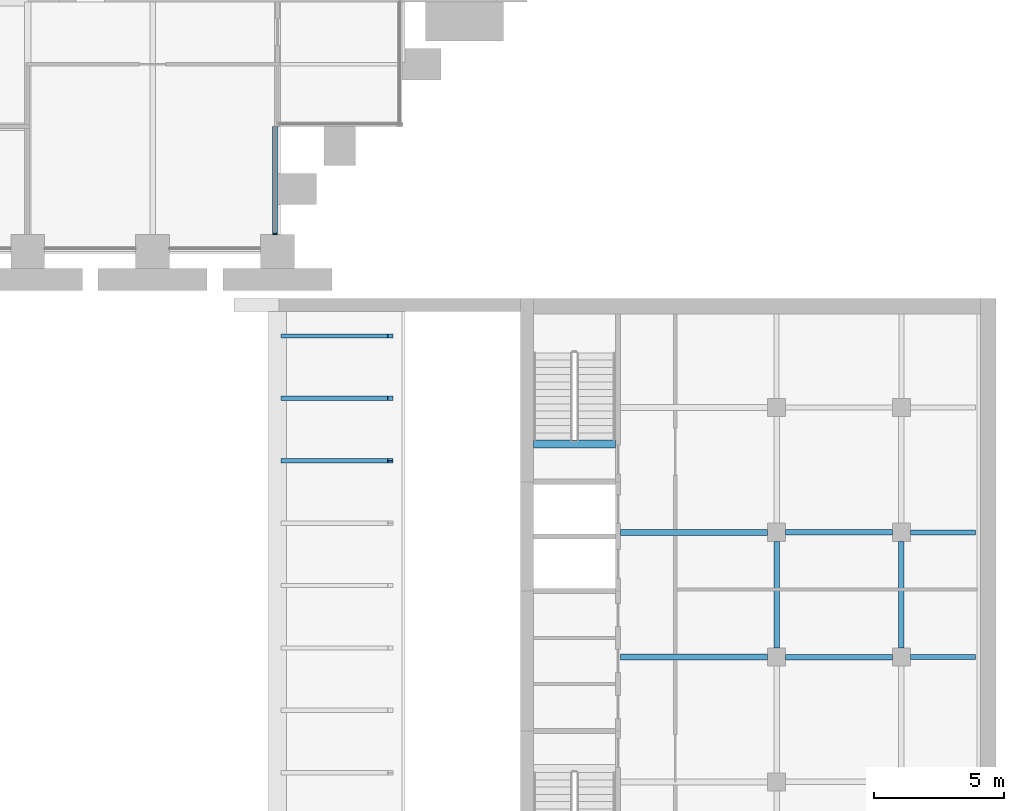
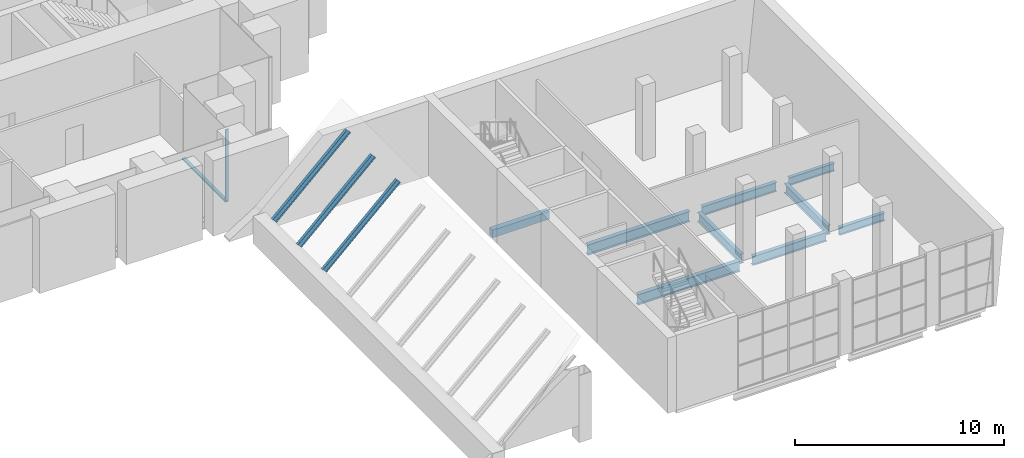
# One storey, part 12 of 30: 12 beams, 2 members, 1 element without a shape of its own.
"""IFC4 building model written with IfcOpenShell, lengths in metres."""

from ifc_helpers import new_model, si_unit, direction, frame, origin, origin_2d, place, context, subcontext, project, spatial, rectangle, i_section, extrude, material, material_profile, profile_set, type_object, element, aggregate, save


model = new_model("IFC4")

# Units and contexts
model_context = context("Model", 3, precision=1e-05, world=origin(), true_north=direction((0.0, 1.0)))
body_context = subcontext(model_context, "Body", "Model", "MODEL_VIEW")
ifc_project = project(units=[si_unit("LENGTHUNIT", "METRE"), si_unit("AREAUNIT", "SQUARE_METRE"), si_unit("VOLUMEUNIT", "CUBIC_METRE"), si_unit("PLANEANGLEUNIT", "RADIAN"), si_unit("MASSUNIT", "GRAM", prefix="KILO")], contexts=[model_context])

# Site, building, storey
site_placement = place(None, origin())
site = spatial("IfcSite", under=ifc_project, at=site_placement, CompositionType="ELEMENT")
building_placement = place(site_placement, origin())
building = spatial("IfcBuilding", under=site, at=building_placement, Name="Baori Bourse Tower", CompositionType="ELEMENT")
storey_placement = place(building_placement, frame((0.0, 0.0, 17.0)))
storey = spatial("IfcBuildingStorey", under=building, at=storey_placement, Name="L02", CompositionType="ELEMENT", Elevation=17.0)

# Curtain wall, members
ifc_material_1 = material(Name="Pale anodised aluminium", Category="aluminium")
curtain_wall_type = type_object("IfcCurtainWallType", Name="CW2 Curtain wall", PredefinedType="NOTDEFINED", material=ifc_material_1)
curtain_wall_placement = place(storey_placement, origin())
curtain_wall = element("IfcCurtainWall", 1, at=curtain_wall_placement, inside=storey, type_object=curtain_wall_type, Name="Curtain wall CW2 L02 12", PredefinedType="NOTDEFINED")
ifc_material_2 = material(Name="Pale anodised aluminium", Category="aluminium")
ifc_material_profile_1 = material_profile(ifc_material_2, rectangle(XDim=0.179931640625, YDim=0.054931640625, at=origin_2d()), Name="Mullion 55x180")
ifc_profile_set_1 = profile_set([ifc_material_profile_1], Name="Pale anodised aluminium")
member_type_1 = type_object("IfcMemberType", Name="CW2 Curtain wall mullion", PredefinedType="MULLION", material=ifc_profile_set_1)
member_1_placement = place(storey_placement, frame((47.909912109375, 0.677490234375, 0.070068359375), z_axis=(0.0, 0.0, 1.0), x_axis=(-1.0, 0.0, 0.0)))
member_1 = element("IfcMember", 2, at=member_1_placement, type_object=member_type_1, Name="Curtain wall CW2 mullion", PredefinedType="MULLION", context=body_context, shape_type="SweptSolid", body=[
    extrude(rectangle(XDim=0.179931640625, YDim=0.054931640625, at=origin_2d()), origin(), (0.0, 0.0, 1.0), 4.169921875),
])
ifc_material_3 = material(Name="Pale anodised aluminium", Category="aluminium")
ifc_material_profile_2 = material_profile(ifc_material_3, rectangle(XDim=0.179931640625, YDim=0.070068359375, at=origin_2d()), Name="Transom 70x180")
ifc_profile_set_2 = profile_set([ifc_material_profile_2], Name="Pale anodised aluminium")
member_type_2 = type_object("IfcMemberType", Name="CW2 Curtain wall transom", PredefinedType="USERDEFINED", material=ifc_profile_set_2)
member_2_placement = place(storey_placement, frame((47.909912109375, 0.64990234375, 0.034912109375), z_axis=(0.0, 1.0, 0.0), x_axis=(-1.0, 0.0, 0.0)))
member_2 = element("IfcMember", 3, at=member_2_placement, type_object=member_type_2, Name="Curtain wall CW2 sill rail", ObjectType="TRANSOM", PredefinedType="USERDEFINED", context=body_context, shape_type="SweptSolid", body=[
    extrude(rectangle(XDim=0.179931640625, YDim=0.070068359375, at=origin_2d()), origin(), (0.0, 0.0, 1.0), 4.150146484375),
])
aggregate(curtain_wall, [member_2, member_1])

# Beams
ifc_material_4 = material(Name="Concrete f'c 40 MPa", Category="concrete")
ifc_material_profile_3 = material_profile(ifc_material_4, rectangle(XDim=0.300048828125, YDim=0.449951171875, at=origin_2d()), Name="Stair trimmer beam 300x450")
ifc_profile_set_3 = profile_set([ifc_material_profile_3], Name="Concrete f'c 40 MPa")
beam_type_1 = type_object("IfcBeamType", Name="Stair trimmer beam 300x450", PredefinedType="BEAM", material=ifc_profile_set_3)
beam_placement = place(storey_placement, frame((61.0, -7.409912109375, -0.385009765625), z_axis=(-1.0, 0.0, 0.0), x_axis=(0.0, -1.0, 0.0)))
element("IfcBeam", 4, at=beam_placement, inside=storey, type_object=beam_type_1, Name="wing/L02/Etrimmer/001", PredefinedType="BEAM", context=body_context, shape_type="SweptSolid", body=[
    extrude(rectangle(XDim=0.300048828125, YDim=0.449951171875, at=origin_2d()), origin(), (0.0, 0.0, 1.0), 3.14990234375),
])
ifc_material_5 = material(Name="Steel A992 Gr 50", Category="steel")
ifc_material_profile_4 = material_profile(ifc_material_5, i_section(OverallWidth=0.164794921875, OverallDepth=0.309814453125, WebThickness=0.005859375, FlangeThickness=0.009765625, at=origin_2d()), Name="W12x26")
ifc_profile_set_4 = profile_set([ifc_material_profile_4], Name="Steel A992 Gr 50")
beam_type_2 = type_object("IfcBeamType", Name="Wing beam W12x26", PredefinedType="BEAM", material=ifc_profile_set_4)
for number, where, z_axis, x_axis, name in (
    (5, (48.244140625, -8.050048828125, 1.158203125), (0.730781719631, 0.0, 0.682611220427), (0.0, 1.0, 0.0), "wing/L02/purlin/018"),
    (6, (48.244140625, -5.64990234375, 1.158203125), (0.730781719631, 0.0, 0.682611220427), (0.0, 1.0, 0.0), "wing/L02/purlin/019"),
    (7, (48.244140625, -3.25, 1.158203125), (0.730781719631, 0.0, 0.682611220427), (0.0, 1.0, 0.0), "wing/L02/purlin/020"),
):
    element("IfcBeam", number, at=place(storey_placement, frame(where, z_axis=z_axis, x_axis=x_axis)), inside=storey, type_object=beam_type_2, Name=name, PredefinedType="BEAM", context=body_context, shape_type="SweptSolid", body=[
        extrude(i_section(OverallWidth=0.164794921875, OverallDepth=0.309814453125, WebThickness=0.005859375, FlangeThickness=0.009765625, at=origin_2d()), origin(), (0.0, 0.0, 1.0), 5.610595703125),
    ])
ifc_material_6 = material(Name="Steel A992 Gr 50", Category="steel")
ifc_material_profile_5 = material_profile(ifc_material_6, i_section(OverallWidth=0.1904296875, OverallDepth=0.457275390625, WebThickness=0.009033203125, FlangeThickness=0.014404296875, at=origin_2d()), Name="W18x50")
ifc_profile_set_5 = profile_set([ifc_material_profile_5], Name="Steel A992 Gr 50")
beam_type_3 = type_object("IfcBeamType", Name="Wing beam W18x50", PredefinedType="BEAM", material=ifc_profile_set_5)
for number, where, z_axis, x_axis, name in (
    (8, (74.85302734375, -15.60009765625, -0.388671875), (-1.0, 0.0, 0.0), (0.0, -1.0, 0.0), "wing/L02/Ebeam/007"),
    (9, (74.85302734375, -10.800048828125, -0.388671875), (-1.0, 0.0, 0.0), (0.0, -1.0, 0.0), "wing/L02/Ebeam/010"),
):
    element("IfcBeam", number, at=place(storey_placement, frame(where, z_axis=z_axis, x_axis=x_axis)), inside=storey, type_object=beam_type_3, Name=name, PredefinedType="BEAM", context=body_context, shape_type="SweptSolid", body=[
        extrude(i_section(OverallWidth=0.1904296875, OverallDepth=0.457275390625, WebThickness=0.009033203125, FlangeThickness=0.014404296875, at=origin_2d()), origin(), (0.0, 0.0, 1.0), 2.5029296875),
    ])
ifc_material_7 = material(Name="Steel A992 Gr 50", Category="steel")
ifc_material_profile_6 = material_profile(ifc_material_7, i_section(OverallWidth=0.209228515625, OverallDepth=0.533447265625, WebThickness=0.01025390625, FlangeThickness=0.015625, at=origin_2d()), Name="W21x62")
ifc_profile_set_6 = profile_set([ifc_material_profile_6], Name="Steel A992 Gr 50")
beam_type_4 = type_object("IfcBeamType", Name="Wing beam W21x62", PredefinedType="BEAM", material=ifc_profile_set_6)
for number, where, z_axis, x_axis, name in (
    (10, (71.64990234375, -15.60009765625, -0.4267578125), (-1.0, 0.0, 0.0), (0.0, -1.0, 0.0), "wing/L02/Ebeam/008"),
    (11, (71.64990234375, -10.800048828125, -0.4267578125), (-1.0, 0.0, 0.0), (0.0, -1.0, 0.0), "wing/L02/Ebeam/011"),
):
    element("IfcBeam", number, at=place(storey_placement, frame(where, z_axis=z_axis, x_axis=x_axis)), inside=storey, type_object=beam_type_4, Name=name, PredefinedType="BEAM", context=body_context, shape_type="SweptSolid", body=[
        extrude(i_section(OverallWidth=0.209228515625, OverallDepth=0.533447265625, WebThickness=0.01025390625, FlangeThickness=0.015625, at=origin_2d()), origin(), (0.0, 0.0, 1.0), 4.099853515625),
    ])
for number, where, z_axis, x_axis, name in (
    (12, (72.0, -15.25, -0.4267578125), (0.0, 1.0, 0.0), (-1.0, 0.0, 0.0), "wing/L02/Ebeamy/003"),
    (13, (67.199951171875, -15.25, -0.4267578125), (0.0, 1.0, 0.0), (-1.0, 0.0, 0.0), "wing/L02/Ebeamy/008"),
):
    element("IfcBeam", number, at=place(storey_placement, frame(where, z_axis=z_axis, x_axis=x_axis)), inside=storey, type_object=beam_type_4, Name=name, PredefinedType="BEAM", context=body_context, shape_type="SweptSolid", body=[
        extrude(i_section(OverallWidth=0.209228515625, OverallDepth=0.533447265625, WebThickness=0.01025390625, FlangeThickness=0.015625, at=origin_2d()), origin(), (0.0, 0.0, 1.0), 4.10009765625),
    ])
ifc_material_8 = material(Name="Steel A992 Gr 50", Category="steel")
ifc_material_profile_7 = material_profile(ifc_material_8, i_section(OverallWidth=0.22900390625, OverallDepth=0.612060546875, WebThickness=0.011962890625, FlangeThickness=0.01953125, at=origin_2d()), Name="W24x84")
ifc_profile_set_7 = profile_set([ifc_material_profile_7], Name="Steel A992 Gr 50")
beam_type_5 = type_object("IfcBeamType", Name="Wing beam W24x84", PredefinedType="BEAM", material=ifc_profile_set_7)
for number, where, z_axis, x_axis, name in (
    (14, (66.85009765625, -15.60009765625, -0.466064453125), (-1.0, 0.0, 0.0), (0.0, -1.0, 0.0), "wing/L02/Ebeam/009"),
    (15, (66.85009765625, -10.800048828125, -0.466064453125), (-1.0, 0.0, 0.0), (0.0, -1.0, 0.0), "wing/L02/Ebeam/012"),
):
    element("IfcBeam", number, at=place(storey_placement, frame(where, z_axis=z_axis, x_axis=x_axis)), inside=storey, type_object=beam_type_5, Name=name, PredefinedType="BEAM", context=body_context, shape_type="SweptSolid", body=[
        extrude(i_section(OverallWidth=0.22900390625, OverallDepth=0.612060546875, WebThickness=0.011962890625, FlangeThickness=0.01953125, at=origin_2d()), origin(), (0.0, 0.0, 1.0), 5.650146484375),
    ])

save(model, "model.ifc")
